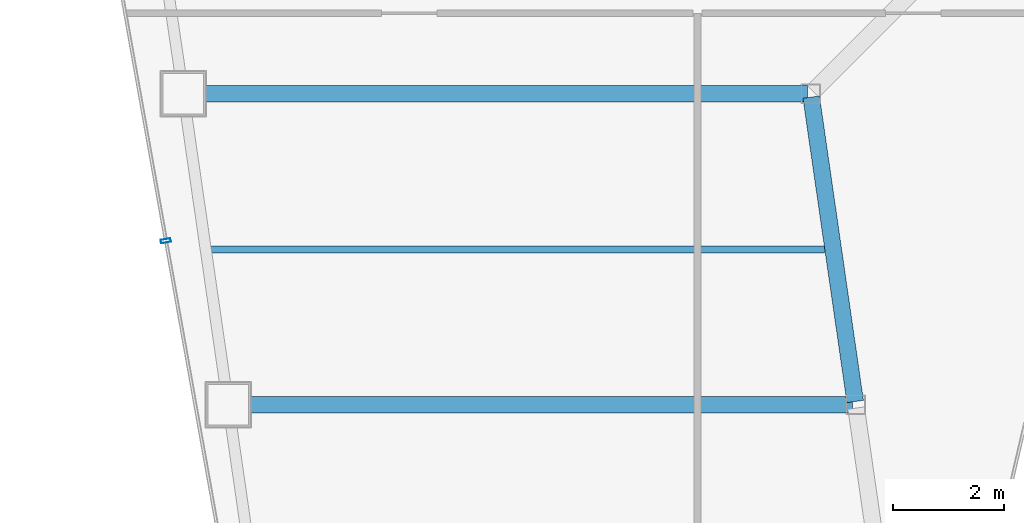
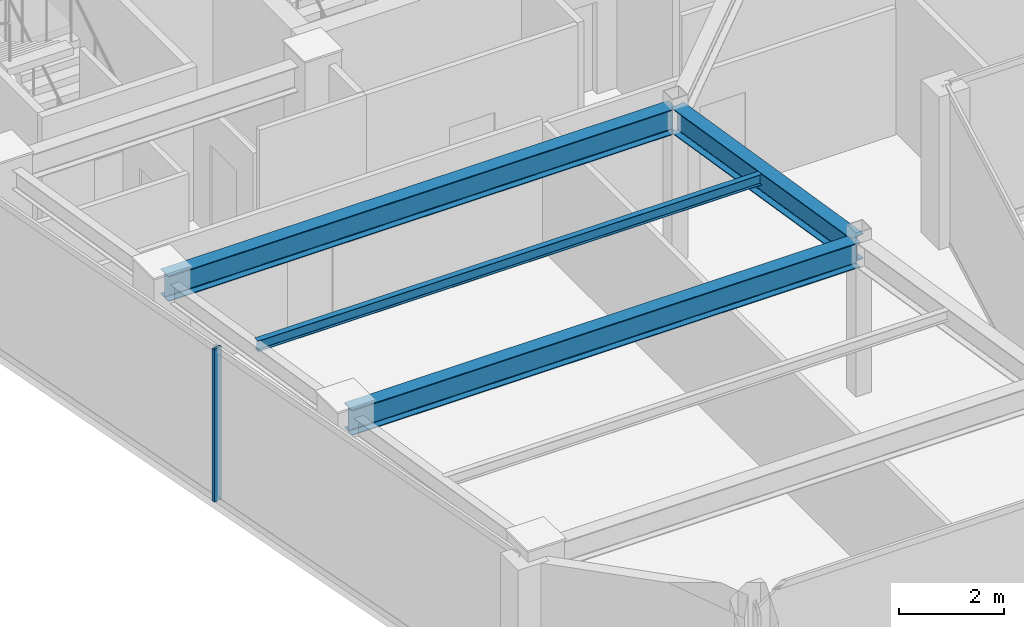
# One storey, part 5 of 32: 4 beams, 1 member, 1 element without a shape of its own.
"""IFC4 building model written with IfcOpenShell, lengths in metres."""

from ifc_helpers import new_model, si_unit, direction, frame, origin, origin_2d, place, context, subcontext, project, spatial, hollow_rectangle, i_section, extrude, material, material_profile, profile_set, type_object, element, aggregate, save


model = new_model("IFC4")

# Units and contexts
model_context = context("Model", 3, precision=1e-05, world=origin(), true_north=direction((0.0, 1.0)))
body_context = subcontext(model_context, "Body", "Model", "MODEL_VIEW")
ifc_project = project(units=[si_unit("LENGTHUNIT", "METRE"), si_unit("AREAUNIT", "SQUARE_METRE"), si_unit("VOLUMEUNIT", "CUBIC_METRE"), si_unit("PLANEANGLEUNIT", "RADIAN"), si_unit("MASSUNIT", "GRAM", prefix="KILO")], contexts=[model_context])

# Site, building, storey
site_placement = place(None, origin())
site = spatial("IfcSite", under=ifc_project, at=site_placement, CompositionType="ELEMENT")
building_placement = place(site_placement, origin())
building = spatial("IfcBuilding", under=site, at=building_placement, Name="Saevonmaru Cultural Tower", CompositionType="ELEMENT")
storey_placement = place(building_placement, frame((0.0, 0.0, 257.199951171875)))
storey = spatial("IfcBuildingStorey", under=building, at=storey_placement, Name="L60", CompositionType="ELEMENT", Elevation=257.199951171875)

# Beams
ifc_material_1 = material(Name="Steel SM355", Category="steel")
ifc_material_profile_1 = material_profile(ifc_material_1, i_section(OverallWidth=0.300048828125, OverallDepth=0.587890625, WebThickness=0.011962890625, FlangeThickness=0.02001953125, FilletRadius=0.02392578125, at=origin_2d()), Name="H-588x300x12x20")
ifc_profile_set_1 = profile_set([ifc_material_profile_1], Name="Steel SM355")
beam_type_1 = type_object("IfcBeamType", Name="BM-G-H588", PredefinedType="BEAM", material=ifc_profile_set_1)
beam_1_placement = place(storey_placement, frame((19.6083984375, 32.059326171875, 3.256103515625), z_axis=(-0.142964121327, 0.989727871697, 0.0), x_axis=(-0.989727871697, -0.142964121327, 0.0)))
element("IfcBeam", 1, at=beam_1_placement, inside=storey, type_object=beam_type_1, Name="L60 West Atrium Girder 2", PredefinedType="BEAM", context=body_context, shape_type="SweptSolid", body=[
    extrude(i_section(OverallWidth=0.300048828125, OverallDepth=0.587890625, WebThickness=0.011962890625, FlangeThickness=0.02001953125, FilletRadius=0.02392578125, at=origin_2d()), origin(), (0.0, 0.0, 1.0), 5.5380859375),
])
for number, where, z_axis, x_axis, name in (
    (2, (8.376953125, 32.0, 3.256103515625), (1.0, 0.0, 0.0), (0.0, 1.0, 0.0), "L60 West Wing Transverse Girder 2"),
    (3, (7.568115234375, 37.60009765625, 3.256103515625), (1.0, 0.0, 0.0), (0.0, 1.0, 0.0), "L60 West Wing Transverse Girder 3"),
):
    element("IfcBeam", number, at=place(storey_placement, frame(where, z_axis=z_axis, x_axis=x_axis)), inside=storey, type_object=beam_type_1, Name=name, PredefinedType="BEAM", context=body_context, shape_type="SweptSolid", body=[
        extrude(i_section(OverallWidth=0.300048828125, OverallDepth=0.587890625, WebThickness=0.011962890625, FlangeThickness=0.02001953125, FilletRadius=0.02392578125, at=origin_2d()), origin(), (0.0, 0.0, 1.0), 11.179931640625),
    ])
ifc_material_profile_2 = material_profile(ifc_material_1, i_section(OverallWidth=0.125, OverallDepth=0.25, WebThickness=0.006103515625, FlangeThickness=0.009033203125, FilletRadius=0.008056640625, at=origin_2d()), Name="H-250x125x6x9")
ifc_profile_set_2 = profile_set([ifc_material_profile_2], Name="Steel SM355")
beam_type_2 = type_object("IfcBeamType", Name="BM-J-H250", PredefinedType="JOIST", material=ifc_profile_set_2)
beam_2_placement = place(storey_placement, frame((7.972412109375, 34.800048828125, 3.425048828125), z_axis=(1.0, 0.0, 0.0), x_axis=(0.0, 1.0, 0.0)))
element("IfcBeam", 4, at=beam_2_placement, inside=storey, type_object=beam_type_2, Name="L60 West Wing Floor Joist 2", PredefinedType="JOIST", context=body_context, shape_type="SweptSolid", body=[
    extrude(i_section(OverallWidth=0.125, OverallDepth=0.25, WebThickness=0.006103515625, FlangeThickness=0.009033203125, FilletRadius=0.008056640625, at=origin_2d()), origin(), (0.0, 0.0, 1.0), 11.08203125),
])

# Curtain wall, member
ifc_material_2 = material(Name="Satin Bronze Anodised Aluminium", Category="aluminium")
curtain_wall_type = type_object("IfcCurtainWallType", Name="CW-TYP-B", PredefinedType="NOTDEFINED", material=ifc_material_2)
curtain_wall_placement = place(storey_placement, origin())
curtain_wall = element("IfcCurtainWall", 5, at=curtain_wall_placement, inside=storey, type_object=curtain_wall_type, Name="L60 Unitised Curtain Wall E12", PredefinedType="NOTDEFINED")
ifc_material_profile_3 = material_profile(ifc_material_2, hollow_rectangle(XDim=0.06494140625, YDim=0.179931640625, WallThickness=0.00390625, at=origin_2d()), Name="ALU-MULL-180x65x4")
ifc_profile_set_3 = profile_set([ifc_material_profile_3], Name="Satin Bronze Anodised Aluminium")
member_type = type_object("IfcMemberType", Name="ML-CW-180x65", PredefinedType="MULLION", material=ifc_profile_set_3)
member_placement = place(storey_placement, frame((7.193603515625, 34.953125, 0.0), z_axis=(0.0, 0.0, 1.0), x_axis=(0.176140740755, -0.984364993001, 0.0)))
member = element("IfcMember", 6, at=member_placement, type_object=member_type, Name="CW-TW-L60-E12 mullion 3", PredefinedType="MULLION", context=body_context, shape_type="SweptSolid", body=[
    extrude(hollow_rectangle(XDim=0.06494140625, YDim=0.179931640625, WallThickness=0.00390625, at=origin_2d()), origin(), (0.0, 0.0, 1.0), 3.550048828125),
])
aggregate(curtain_wall, [member])

save(model, "model.ifc")
